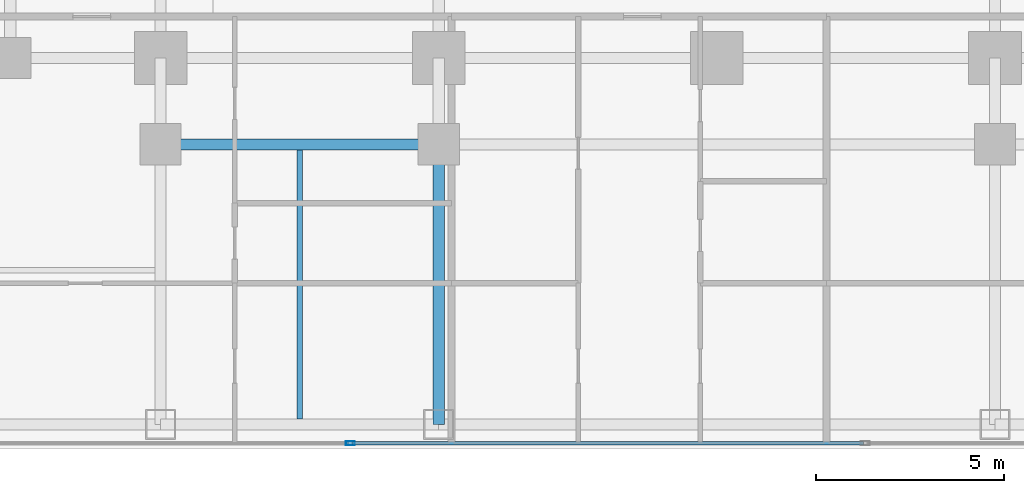
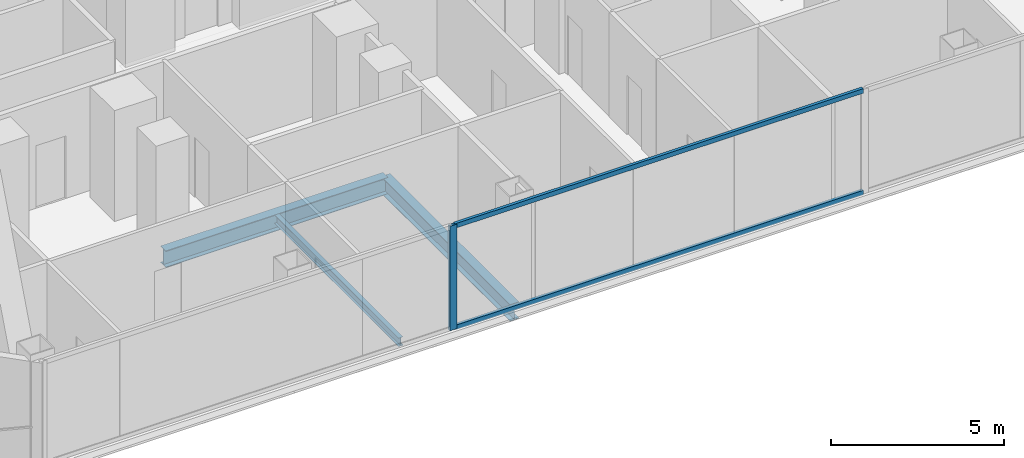
# One storey, part 4 of 33: 3 beams, 3 members, 1 element without a shape of its own.
"""IFC4 building model written with IfcOpenShell, lengths in metres."""

import ifcopenshell
import ifcopenshell.guid

model = None  # the IFC model being written
_history = None  # IfcOwnerHistory: only IFC2X3 demands one
_inside = {}  # id of a spatial element -> (the spatial element, [elements in it])
_under = {}  # id of a project, library or spatial element -> (it, [spatial elements below it])
_declared = {}  # id of a project -> (the project, [libraries it declares])
_typed = {}  # id of a type object -> (the type object, [elements of that type])
_made_of = {}  # id of a material, layer set ... -> (it, [elements and type objects made of it])


def new_model(schema):
    """Start an empty IFC model of exactly this schema.

    Asked for "IFC4X3", IfcOpenShell would pick the latest addendum, in which some entities
    have other attributes; the version numbers below select the first issue.
    IFC2X3 requires an IfcOwnerHistory on every rooted entity: one is made here for all.
    """
    global model, _history
    if schema == "IFC4X3":
        model = ifcopenshell.file(schema_version=(4, 3, 0, 0))
    else:
        model = ifcopenshell.file(schema=schema)
    _inside.clear()
    _under.clear()
    _declared.clear()
    _typed.clear()
    _made_of.clear()
    _history = None
    if model.schema == "IFC2X3":
        org = make("IfcOrganization", Name="unknown")
        user = make(
            "IfcPersonAndOrganization",
            ThePerson=make("IfcPerson", FamilyName="unknown"),
            TheOrganization=org,
        )
        app = make(
            "IfcApplication",
            ApplicationDeveloper=org,
            Version="unknown",
            ApplicationFullName="unknown",
            ApplicationIdentifier="unknown",
        )
        _history = make(
            "IfcOwnerHistory",
            OwningUser=user,
            OwningApplication=app,
            ChangeAction="ADDED",
            CreationDate=0,
        )
    return model


def make(cls, **values):
    """One entity of the class cls with the attributes given. An attribute that is None is left unset."""
    return model.create_entity(
        cls, **{name: value for name, value in values.items() if value is not None}
    )


def rooted(cls, **values):
    """An entity with a GlobalId (a new one), such as an element, a storey or a relation."""
    return make(cls, GlobalId=ifcopenshell.guid.new(), OwnerHistory=_history, **values)


def si_unit(unit_type, name, prefix=None):
    """IfcSIUnit, for example si_unit("LENGTHUNIT", "METRE", prefix="MILLI")."""
    return make("IfcSIUnit", UnitType=unit_type, Prefix=prefix, Name=name)


def assignment(units):
    """IfcUnitAssignment: the units of a project."""
    return None if units is None else make("IfcUnitAssignment", Units=units)


def point(xyz):
    """IfcCartesianPoint."""
    return None if xyz is None else make("IfcCartesianPoint", Coordinates=xyz)


def direction(xyz):
    """IfcDirection."""
    return None if xyz is None else make("IfcDirection", DirectionRatios=xyz)


def frame(location, z_axis=None, x_axis=None):
    """IfcAxis2Placement3D, a coordinate frame: its origin and axes. An axis left out is left unset."""
    return make(
        "IfcAxis2Placement3D",
        Location=point(location),
        Axis=direction(z_axis),
        RefDirection=direction(x_axis),
    )


def frame_2d(location, x_axis=None):
    """IfcAxis2Placement2D, a coordinate frame in the plane: its origin and x axis."""
    return make(
        "IfcAxis2Placement2D", Location=point(location), RefDirection=direction(x_axis)
    )


def origin():
    """The frame at (0, 0, 0) with its axes left unset."""
    return frame((0.0, 0.0, 0.0))


def origin_2d():
    """The frame at (0, 0) in the plane with its x axis left unset."""
    return frame_2d((0.0, 0.0))


def place(relative_to, where):
    """IfcLocalPlacement: puts the frame where relative to a parent placement (None: the world)."""
    return make(
        "IfcLocalPlacement", PlacementRelTo=relative_to, RelativePlacement=where
    )


def context(
    kind, dimensions, precision=None, world=None, true_north=None, identifier=None
):
    """IfcGeometricRepresentationContext, for example the 3D "Model" context."""
    return make(
        "IfcGeometricRepresentationContext",
        ContextIdentifier=identifier,
        ContextType=kind,
        CoordinateSpaceDimension=dimensions,
        Precision=precision,
        WorldCoordinateSystem=world,
        TrueNorth=true_north,
    )


def subcontext(parent, identifier, kind, view, scale=None):
    """IfcGeometricRepresentationSubContext, for example "Body" below "Model"."""
    return make(
        "IfcGeometricRepresentationSubContext",
        ContextIdentifier=identifier,
        ContextType=kind,
        ParentContext=parent,
        TargetScale=scale,
        TargetView=view,
    )


def project(units=None, contexts=None):
    """IfcProject with its units and contexts."""
    return rooted(
        "IfcProject",
        Name="project",
        RepresentationContexts=contexts,
        UnitsInContext=assignment(units),
    )


def spatial(cls, under=None, at=None, **own):
    """A site, building, storey or space (cls), placed at a placement, below another one or the project."""
    s = rooted(cls, ObjectPlacement=at, **own)
    if under is not None:
        _under.setdefault(under.id(), (under, []))[1].append(s)
    return s


def profile(cls, at=None, kind="AREA", **sizes):
    """A parametric profile (cls). Its sizes go by their IFC names, for example OverallWidth=200.0."""
    return make(cls, ProfileType=kind, Position=at, **sizes)


def hollow_rectangle(**sizes):
    """IfcRectangleHollowProfileDef."""
    return profile("IfcRectangleHollowProfileDef", **sizes)


def i_section(**sizes):
    """IfcIShapeProfileDef."""
    return profile("IfcIShapeProfileDef", **sizes)


def extrude(swept, where, along, depth):
    """IfcExtrudedAreaSolid: the profile swept, set in the frame where, extruded along a direction by depth."""
    return make(
        "IfcExtrudedAreaSolid",
        SweptArea=swept,
        Position=where,
        ExtrudedDirection=direction(along),
        Depth=depth,
    )


def shape(context_of_items, identifier, shape_type, items):
    """IfcShapeRepresentation: the items that make up one representation, for example the "Body"."""
    return make(
        "IfcShapeRepresentation",
        ContextOfItems=context_of_items,
        RepresentationIdentifier=identifier,
        RepresentationType=shape_type,
        Items=items,
    )


def material(Name=None, Category=None):
    """IfcMaterial."""
    return make("IfcMaterial", Name=Name, Category=Category)


def layer(
    of_material, thickness, ventilated=None, Name=None, Category=None, Priority=None
):
    """IfcMaterialLayer: one layer of a wall or slab, of a material (None: an air gap)."""
    return make(
        "IfcMaterialLayer",
        Material=of_material,
        LayerThickness=thickness,
        IsVentilated=ventilated,
        Name=Name,
        Category=Category,
        Priority=Priority,
    )


def layer_set(layers, Name=None):
    """IfcMaterialLayerSet."""
    return make("IfcMaterialLayerSet", MaterialLayers=layers, LayerSetName=Name)


def material_profile(
    of_material, cross_section, Name=None, Category=None, Priority=None
):
    """IfcMaterialProfile: a cross section and its material."""
    return make(
        "IfcMaterialProfile",
        Name=Name,
        Material=of_material,
        Profile=cross_section,
        Priority=Priority,
        Category=Category,
    )


def profile_set(profiles, Name=None, composite=None):
    """IfcMaterialProfileSet."""
    return make(
        "IfcMaterialProfileSet",
        Name=Name,
        MaterialProfiles=profiles,
        CompositeProfile=composite,
    )


def made_of(thing, what):
    """Note that an element or type object is made of a material, layer set ...; save() writes the relation."""
    if what is not None:
        _made_of.setdefault(what.id(), (what, []))[1].append(thing)
    return thing


def type_object(cls, material=None, **own):
    """A type object (cls), such as IfcWallType, which elements share."""
    return made_of(rooted(cls, **own), material)


def element(
    cls,
    number,
    at=None,
    inside=None,
    cuts=None,
    type_object=None,
    material=None,
    context=None,
    identifier="Body",
    shape_type=None,
    held_by="IfcProductDefinitionShape",
    body=None,
    shapes=None,
    **own,
):
    """One element of the class cls, such as IfcWall. Its Tag is "e" and its number.

    at: its placement. inside: the storey or other place that contains it. cuts: it is an
    opening in that element (IfcRelVoidsElement). A single representation is given by context,
    identifier, shape_type and body (its items); several are given by shapes. held_by: the class
    of the entity that holds the representations. save() writes the other relations.
    """
    e = rooted(cls, Tag="e%d" % number, ObjectPlacement=at, **own)
    if body is not None:
        shapes = [shape(context, identifier, shape_type, body)]
    if shapes is not None:
        e.Representation = make(held_by, Representations=shapes)
    if inside is not None:
        _inside.setdefault(inside.id(), (inside, []))[1].append(e)
    if cuts is not None:
        rooted(
            "IfcRelVoidsElement", RelatingBuildingElement=cuts, RelatedOpeningElement=e
        )
    if type_object is not None:
        _typed.setdefault(type_object.id(), (type_object, []))[1].append(e)
    return made_of(e, material)


def aggregate(whole, parts):
    """IfcRelAggregates: a whole, such as a stair, and the parts it consists of."""
    return rooted("IfcRelAggregates", RelatingObject=whole, RelatedObjects=parts)


def save(model, path):
    """Write the relations noted so far, then the file.

    IfcRelAggregates (storeys below a building ...), IfcRelContainedInSpatialStructure (elements
    in a storey), IfcRelDefinesByType, IfcRelAssociatesMaterial and IfcRelDeclares: one each for
    every whole, place, type object, material and project.
    """
    for whole, parts in _under.values():
        aggregate(whole, parts)
    for where, things in _inside.values():
        rooted(
            "IfcRelContainedInSpatialStructure",
            RelatedElements=things,
            RelatingStructure=where,
        )
    for kind, things in _typed.values():
        rooted("IfcRelDefinesByType", RelatedObjects=things, RelatingType=kind)
    for what, things in _made_of.values():
        rooted("IfcRelAssociatesMaterial", RelatedObjects=things, RelatingMaterial=what)
    for by, libraries in _declared.values():
        rooted("IfcRelDeclares", RelatingContext=by, RelatedDefinitions=libraries)
    model.write(path)


model = new_model("IFC4")

# Units and contexts
model_context = context("Model", 3, precision=1e-05, world=origin(), true_north=direction((0.0, 1.0)))
body_context = subcontext(model_context, "Body", "Model", "MODEL_VIEW")
ifc_project = project(units=[si_unit("LENGTHUNIT", "METRE"), si_unit("AREAUNIT", "SQUARE_METRE"), si_unit("VOLUMEUNIT", "CUBIC_METRE"), si_unit("PLANEANGLEUNIT", "RADIAN"), si_unit("MASSUNIT", "GRAM", prefix="KILO")], contexts=[model_context])

# Site, building, storey
site_placement = place(None, origin())
site = spatial("IfcSite", under=ifc_project, at=site_placement, CompositionType="ELEMENT")
building_placement = place(site_placement, origin())
building = spatial("IfcBuilding", under=site, at=building_placement, Name="Khorvyn Point Tower", CompositionType="ELEMENT")
storey_placement = place(building_placement, frame((0.0, 0.0, 65.699951171875)))
storey = spatial("IfcBuildingStorey", under=building, at=storey_placement, Name="L17", CompositionType="ELEMENT", Elevation=65.699951171875)

# Curtain wall, members
ifc_material_1 = material(Name="Anodised aluminium 6063-T6 and laminated Low-E glass", Category="aluminium")
ifc_layer = layer(ifc_material_1, 0.18994140625)
ifc_layer_set = layer_set([ifc_layer], Name="Stick-Built Finned Residential Curtain Wall CW-SYS-02")
curtain_wall_type = type_object("IfcCurtainWallType", Name="Stick-Built Finned Residential Curtain Wall CW-SYS-02", PredefinedType="NOTDEFINED", material=ifc_layer_set)
curtain_wall_placement = place(storey_placement, origin())
curtain_wall = element("IfcCurtainWall", 1, at=curtain_wall_placement, inside=storey, type_object=curtain_wall_type, Name="Curtain Wall", PredefinedType="NOTDEFINED")
ifc_material_2 = material(Name="Anodised aluminium 6063-T6", Category="aluminium")
ifc_material_profile_1 = material_profile(ifc_material_2, hollow_rectangle(XDim=0.10009765625, YDim=0.239990234375, WallThickness=0.0048828125, at=origin_2d()))
ifc_profile_set_1 = profile_set([ifc_material_profile_1], Name="Anodised aluminium 6063-T6 ALU-MUL-100x240")
member_type_1 = type_object("IfcMemberType", Name="Anodised Aluminium 6063-T6 Mullion ALU-MUL-100x240", PredefinedType="MULLION", material=ifc_profile_set_1)
member_1_placement = place(storey_placement, frame((-9.75, -25.050048828125, 0.0), z_axis=(0.0, 0.0, 1.0), x_axis=(0.0, -1.0, 0.0)))
member_1 = element("IfcMember", 2, at=member_1_placement, type_object=member_type_1, Name="Transom", PredefinedType="MULLION", context=body_context, shape_type="SweptSolid", body=[
    extrude(hollow_rectangle(XDim=0.10009765625, YDim=0.239990234375, WallThickness=0.0048828125, at=origin_2d()), origin(), (0.0, 0.0, 1.0), 3.679931640625),
])
ifc_material_profile_2 = material_profile(ifc_material_2, hollow_rectangle(XDim=0.10009765625, YDim=0.159912109375, WallThickness=0.00439453125, at=origin_2d()))
ifc_profile_set_2 = profile_set([ifc_material_profile_2], Name="Anodised aluminium 6063-T6 ALU-TRN-100x160")
member_type_2 = type_object("IfcMemberType", Name="Anodised Aluminium 6063-T6 Transom ALU-TRN-100x160", PredefinedType="USERDEFINED", material=ifc_profile_set_2)
member_2_placement = place(storey_placement, frame((3.89990234375, -25.050048828125, 0.050048828125), z_axis=(-1.0, 0.0, 0.0), x_axis=(0.0, -1.0, 0.0)))
member_2 = element("IfcMember", 3, at=member_2_placement, type_object=member_type_2, Name="Transom", ObjectType="TRANSOM", PredefinedType="USERDEFINED", context=body_context, shape_type="SweptSolid", body=[
    extrude(hollow_rectangle(XDim=0.10009765625, YDim=0.159912109375, WallThickness=0.00439453125, at=origin_2d()), origin(), (0.0, 0.0, 1.0), 13.599853515625),
])
member_3_placement = place(storey_placement, frame((3.89990234375, -25.050048828125, 3.630126953125), z_axis=(-1.0, 0.0, 0.0), x_axis=(0.0, -1.0, 0.0)))
member_3 = element("IfcMember", 4, at=member_3_placement, type_object=member_type_2, Name="Transom", ObjectType="TRANSOM", PredefinedType="USERDEFINED", context=body_context, shape_type="SweptSolid", body=[
    extrude(hollow_rectangle(XDim=0.10009765625, YDim=0.159912109375, WallThickness=0.00439453125, at=origin_2d()), origin(), (0.0, 0.0, 1.0), 13.599853515625),
])
aggregate(curtain_wall, [member_1, member_2, member_3])

# Beams
ifc_material_3 = material(Name="Steel S355", Category="steel")
ifc_material_profile_3 = material_profile(ifc_material_3, i_section(OverallWidth=0.300048828125, OverallDepth=0.587890625, WebThickness=0.011962890625, FlangeThickness=0.02001953125, at=origin_2d()))
ifc_profile_set_3 = profile_set([ifc_material_profile_3], Name="Steel S355 H588x300x12x20")
beam_type_1 = type_object("IfcBeamType", Name="Steel S355 Beam H588x300x12x20", PredefinedType="BEAM", material=ifc_profile_set_3)
beam_1_placement = place(storey_placement, frame((-14.800048828125, -17.10009765625, -0.513916015625), z_axis=(1.0, 0.0, 0.0), x_axis=(0.0, 1.0, 0.0)))
element("IfcBeam", 5, at=beam_1_placement, inside=storey, type_object=beam_type_1, Name="Beam", PredefinedType="BEAM", context=body_context, shape_type="SweptSolid", body=[
    extrude(i_section(OverallWidth=0.300048828125, OverallDepth=0.587890625, WebThickness=0.011962890625, FlangeThickness=0.02001953125, at=origin_2d()), origin(), (0.0, 0.0, 1.0), 7.400146484375),
])
beam_2_placement = place(storey_placement, frame((-7.39990234375, -24.550048828125, -0.513916015625), z_axis=(0.0, 1.0, 0.0), x_axis=(-1.0, 0.0, 0.0)))
element("IfcBeam", 6, at=beam_2_placement, inside=storey, type_object=beam_type_1, Name="Beam", PredefinedType="BEAM", context=body_context, shape_type="SweptSolid", body=[
    extrude(i_section(OverallWidth=0.300048828125, OverallDepth=0.587890625, WebThickness=0.011962890625, FlangeThickness=0.02001953125, at=origin_2d()), origin(), (0.0, 0.0, 1.0), 7.449951171875),
])
ifc_material_profile_4 = material_profile(ifc_material_3, i_section(OverallWidth=0.14990234375, OverallDepth=0.300048828125, WebThickness=0.006591796875, FlangeThickness=0.009033203125, at=origin_2d()))
ifc_profile_set_4 = profile_set([ifc_material_profile_4], Name="Steel S355 H300x150x6.5x9")
beam_type_2 = type_object("IfcBeamType", Name="Steel S355 Joist H300x150x6.5x9", PredefinedType="JOIST", material=ifc_profile_set_4)
beam_3_placement = place(storey_placement, frame((-11.10009765625, -24.39990234375, -0.369873046875), z_axis=(0.0, 1.0, 0.0), x_axis=(-1.0, 0.0, 0.0)))
element("IfcBeam", 7, at=beam_3_placement, inside=storey, type_object=beam_type_2, Name="Beam", PredefinedType="JOIST", context=body_context, shape_type="SweptSolid", body=[
    extrude(i_section(OverallWidth=0.14990234375, OverallDepth=0.300048828125, WebThickness=0.006591796875, FlangeThickness=0.009033203125, at=origin_2d()), origin(), (0.0, 0.0, 1.0), 7.14990234375),
])

save(model, "model.ifc")
